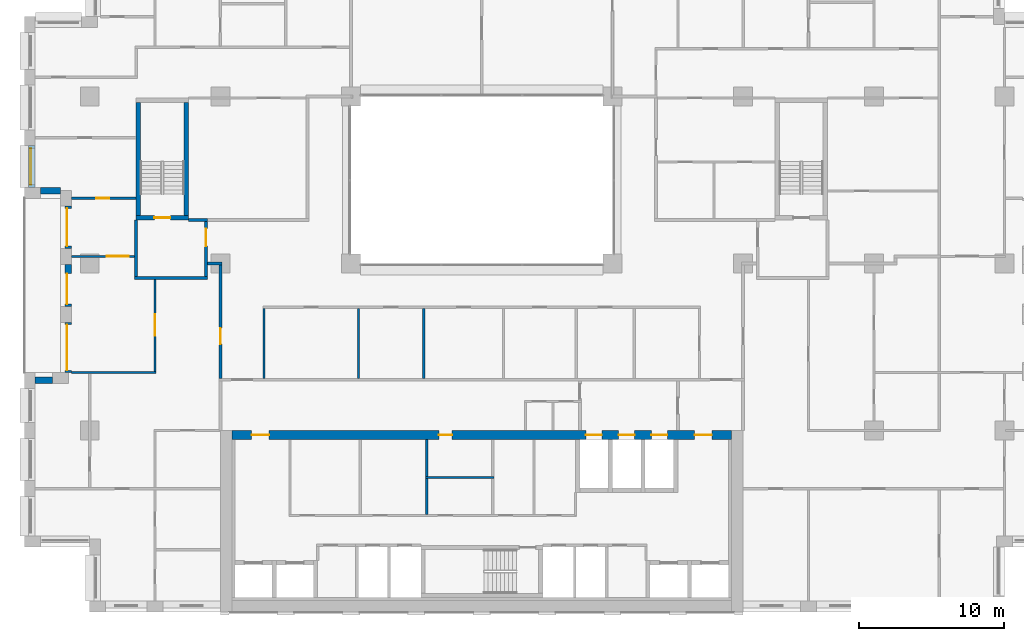
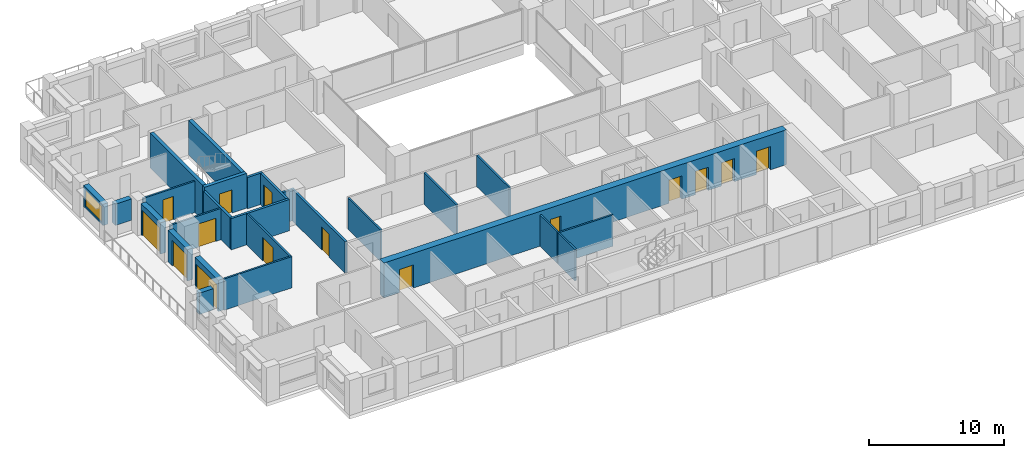
# One storey, part 9 of 16: 26 walls, 15 doors, 1 window, 16 openings.
"""IFC4 building model written with IfcOpenShell, lengths in metres."""

from ifc_helpers import new_model, si_unit, direction, frame, frame_2d, origin, place, context, subcontext, project, spatial, rectangle, extrude, material, layer, layer_set, type_object, element, fill, save


model = new_model("IFC4")

# Units and contexts
model_context = context("Model", 3, precision=1e-05, world=origin(), true_north=direction((0.0, 1.0)))
body_context = subcontext(model_context, "Body", "Model", "MODEL_VIEW")
ifc_project = project(units=[si_unit("LENGTHUNIT", "METRE"), si_unit("AREAUNIT", "SQUARE_METRE"), si_unit("VOLUMEUNIT", "CUBIC_METRE"), si_unit("PLANEANGLEUNIT", "RADIAN"), si_unit("MASSUNIT", "GRAM", prefix="KILO")], contexts=[model_context])

# Site, building, storey
site_placement = place(None, origin())
site = spatial("IfcSite", under=ifc_project, at=site_placement, CompositionType="ELEMENT")
building_placement = place(site_placement, origin())
building = spatial("IfcBuilding", under=site, at=building_placement, Name="Brigalow Station Residences", CompositionType="ELEMENT")
storey_placement = place(building_placement, frame((0.0, 0.0, 83.550048828125)))
storey = spatial("IfcBuildingStorey", under=building, at=storey_placement, Name="L23", CompositionType="ELEMENT", Elevation=83.550048828125)

# Wall, opening, window
ifc_material_1 = material(Name="Clay brick masonry", Category="masonry")
ifc_layer_1 = layer(ifc_material_1, 0.449951171875)
ifc_layer_set_1 = layer_set([ifc_layer_1], Name="BRICK INFILL WALL 450")
wall_type_1 = type_object("IfcWallType", Name="BRICK INFILL WALL 450", PredefinedType="SOLIDWALL", material=ifc_layer_set_1)
wall_1_placement = place(storey_placement, frame((5.02490234375, 32.116943359375, 0.89990234375), z_axis=(0.0, 0.0, 1.0), x_axis=(0.0, -1.0, 0.0)))
wall_1 = element("IfcWall", 1, at=wall_1_placement, inside=storey, type_object=wall_type_1, Name="L23/ewall/W-L23-41", PredefinedType="SOLIDWALL", context=body_context, shape_type="SweptSolid", body=[
    extrude(rectangle(XDim=2.866943359375, YDim=0.449951171875, at=frame_2d((1.43359375, 0.0))), origin(), (0.0, 0.0, 1.0), 1.929931640625),
])
opening_1_placement = place(wall_1_placement, frame((0.18359375, 0.0, 0.14990234375)))
opening_1 = element("IfcOpeningElement", 2, at=opening_1_placement, cuts=wall_1, Name="Opening WT-5", PredefinedType="OPENING", context=body_context, shape_type="SweptSolid", body=[
    extrude(rectangle(XDim=2.5, YDim=1.5, at=frame_2d((1.25, 0.75))), frame((0.0, 0.23486328125, 0.0), z_axis=(0.0, -1.0, 0.0), x_axis=(1.0, 0.0, 0.0)), (0.0, 0.0, 1.0), 0.469970703125),
])
ifc_material_2 = material(Name="Anodised aluminium frame with double glazing", Category="aluminium")
window_type = type_object("IfcWindowType", Name="WINDOW 2500x1500", PartitioningType="SINGLE_PANEL", PredefinedType="WINDOW", material=ifc_material_2)
window_placement = place(opening_1_placement, origin())
window = element("IfcWindow", 3, at=window_placement, inside=storey, type_object=window_type, Name="L23/window/W-L23-41", OverallHeight=1.5, OverallWidth=2.5, PartitioningType="SINGLE_PANEL", PredefinedType="WINDOW", context=body_context, shape_type="SweptSolid", body=[
    extrude(rectangle(XDim=2.5, YDim=1.5, at=frame_2d((1.25, 0.75))), frame((0.0, -0.06494140625, 0.0), z_axis=(0.0, -1.0, 0.0), x_axis=(1.0, 0.0, 0.0)), (0.0, 0.0, 1.0), 0.06005859375),
])
fill(opening_1, window)

# Wall
wall_2_placement = place(storey_placement, frame((5.60009765625, 29.02490234375, 0.89990234375), z_axis=(0.0, 0.0, 1.0), x_axis=(1.0, 0.0, 0.0)))
element("IfcWall", 4, at=wall_2_placement, inside=storey, type_object=wall_type_1, Name="L23/ewall/W-L23-42", PredefinedType="SOLIDWALL", context=body_context, shape_type="SweptSolid", body=[
    extrude(rectangle(XDim=1.39990234375, YDim=0.449951171875, at=frame_2d((0.699951171875, 0.0))), origin(), (0.0, 0.0, 1.0), 1.929931640625),
])

# Wall, opening, door
wall_3_placement = place(storey_placement, frame((7.52490234375, 27.949951171875, 0.0), z_axis=(0.0, 0.0, 1.0), x_axis=(0.0, -1.0, 0.0)))
wall_3 = element("IfcWall", 5, at=wall_3_placement, inside=storey, type_object=wall_type_1, Name="L23/ewall/W-L23-43", PredefinedType="SOLIDWALL", context=body_context, shape_type="SweptSolid", body=[
    extrude(rectangle(XDim=2.89990234375, YDim=0.449951171875, at=frame_2d((1.449951171875, 0.0))), origin(), (0.0, 0.0, 1.0), 2.829833984375),
])
opening_2_placement = place(wall_3_placement, frame((0.14990234375, 0.0, 0.0)))
opening_2 = element("IfcOpeningElement", 6, at=opening_2_placement, cuts=wall_3, Name="Opening D-B2600", PredefinedType="OPENING", context=body_context, shape_type="SweptSolid", body=[
    extrude(rectangle(XDim=2.60009765625, YDim=2.300048828125, at=frame_2d((1.300048828125, 1.14990234375))), frame((0.0, 0.23486328125, 0.0), z_axis=(0.0, -1.0, 0.0), x_axis=(1.0, 0.0, 0.0)), (0.0, 0.0, 1.0), 0.469970703125),
])
ifc_material_3 = material(Name="Anodised aluminium frame with double glazing", Category="aluminium")
door_type_1 = type_object("IfcDoorType", Name="BALCONY SLIDING DOOR 2600x2300", OperationType="SLIDING_TO_LEFT", PredefinedType="DOOR", material=ifc_material_3)
door_1_placement = place(opening_2_placement, origin())
door_1 = element("IfcDoor", 7, at=door_1_placement, inside=storey, type_object=door_type_1, Name="L23/balcony-door/W-L23-43", OperationType="SLIDING_TO_LEFT", OverallHeight=2.300048828125, OverallWidth=2.60009765625, PredefinedType="DOOR", context=body_context, shape_type="SweptSolid", body=[
    extrude(rectangle(XDim=2.60009765625, YDim=2.300048828125, at=frame_2d((1.300048828125, 1.14990234375))), frame((0.0, -0.06982421875, 0.0), z_axis=(0.0, -1.0, 0.0), x_axis=(1.0, 0.0, 0.0)), (0.0, 0.0, 1.0), 0.050048828125),
])
fill(opening_2, door_1)

wall_4_placement = place(storey_placement, frame((7.52490234375, 23.949951171875, 0.0), z_axis=(0.0, 0.0, 1.0), x_axis=(0.0, -1.0, 0.0)))
wall_4 = element("IfcWall", 8, at=wall_4_placement, inside=storey, type_object=wall_type_1, Name="L23/ewall/W-L23-44", PredefinedType="SOLIDWALL", context=body_context, shape_type="SweptSolid", body=[
    extrude(rectangle(XDim=2.89990234375, YDim=0.449951171875, at=frame_2d((1.449951171875, 0.0))), origin(), (0.0, 0.0, 1.0), 2.829833984375),
])
opening_3_placement = place(wall_4_placement, frame((0.635009765625, 0.0, 0.0)))
opening_3 = element("IfcOpeningElement", 9, at=opening_3_placement, cuts=wall_4, Name="Opening D-B2100", PredefinedType="OPENING", context=body_context, shape_type="SweptSolid", body=[
    extrude(rectangle(XDim=2.10009765625, YDim=2.300048828125, at=frame_2d((1.050048828125, 1.14990234375))), frame((0.0, 0.23486328125, 0.0), z_axis=(0.0, -1.0, 0.0), x_axis=(1.0, 0.0, 0.0)), (0.0, 0.0, 1.0), 0.469970703125),
])
ifc_material_4 = material(Name="Anodised aluminium frame with double glazing", Category="aluminium")
door_type_2 = type_object("IfcDoorType", Name="BALCONY SLIDING DOOR 2100x2300", OperationType="SLIDING_TO_LEFT", PredefinedType="DOOR", material=ifc_material_4)
door_2_placement = place(opening_3_placement, origin())
door_2 = element("IfcDoor", 10, at=door_2_placement, inside=storey, type_object=door_type_2, Name="L23/balcony-door/W-L23-44", OperationType="SLIDING_TO_LEFT", OverallHeight=2.300048828125, OverallWidth=2.10009765625, PredefinedType="DOOR", context=body_context, shape_type="SweptSolid", body=[
    extrude(rectangle(XDim=2.10009765625, YDim=2.300048828125, at=frame_2d((1.050048828125, 1.14990234375))), frame((0.0, -0.06982421875, 0.0), z_axis=(0.0, -1.0, 0.0), x_axis=(1.0, 0.0, 0.0)), (0.0, 0.0, 1.0), 0.050048828125),
])
fill(opening_3, door_2)

wall_5_placement = place(storey_placement, frame((7.52490234375, 19.949951171875, 0.0), z_axis=(0.0, 0.0, 1.0), x_axis=(0.0, -1.0, 0.0)))
wall_5 = element("IfcWall", 11, at=wall_5_placement, inside=storey, type_object=wall_type_1, Name="L23/ewall/W-L23-45", PredefinedType="SOLIDWALL", context=body_context, shape_type="SweptSolid", body=[
    extrude(rectangle(XDim=3.449951171875, YDim=0.449951171875, at=frame_2d((1.72509765625, 0.0))), origin(), (0.0, 0.0, 1.0), 2.829833984375),
])
opening_4_placement = place(wall_5_placement, frame((0.14990234375, 0.0, 0.0)))
opening_4 = element("IfcOpeningElement", 12, at=opening_4_placement, cuts=wall_5, Name="Opening D-B3150", PredefinedType="OPENING", context=body_context, shape_type="SweptSolid", body=[
    extrude(rectangle(XDim=3.14990234375, YDim=2.300048828125, at=frame_2d((1.574951171875, 1.14990234375))), frame((0.0, 0.23486328125, 0.0), z_axis=(0.0, -1.0, 0.0), x_axis=(1.0, 0.0, 0.0)), (0.0, 0.0, 1.0), 0.469970703125),
])
ifc_material_5 = material(Name="Anodised aluminium frame with double glazing", Category="aluminium")
door_type_3 = type_object("IfcDoorType", Name="BALCONY SLIDING DOOR 3150x2300", OperationType="SLIDING_TO_LEFT", PredefinedType="DOOR", material=ifc_material_5)
door_3_placement = place(opening_4_placement, origin())
door_3 = element("IfcDoor", 13, at=door_3_placement, inside=storey, type_object=door_type_3, Name="L23/balcony-door/W-L23-45", OperationType="SLIDING_TO_LEFT", OverallHeight=2.300048828125, OverallWidth=3.14990234375, PredefinedType="DOOR", context=body_context, shape_type="SweptSolid", body=[
    extrude(rectangle(XDim=3.14990234375, YDim=2.300048828125, at=frame_2d((1.574951171875, 1.14990234375))), frame((0.0, -0.06982421875, 0.0), z_axis=(0.0, -1.0, 0.0), x_axis=(1.0, 0.0, 0.0)), (0.0, 0.0, 1.0), 0.050048828125),
])
fill(opening_4, door_3)

# Wall
wall_6_placement = place(storey_placement, frame((6.449951171875, 15.97509765625, 0.89990234375), z_axis=(0.0, 0.0, 1.0), x_axis=(-1.0, 0.0, 0.0)))
element("IfcWall", 14, at=wall_6_placement, inside=storey, type_object=wall_type_1, Name="L23/ewall/W-L23-46", PredefinedType="SOLIDWALL", context=body_context, shape_type="SweptSolid", body=[
    extrude(rectangle(XDim=1.199951171875, YDim=0.449951171875, at=frame_2d((0.60009765625, 0.0))), origin(), (0.0, 0.0, 1.0), 1.929931640625),
])

# Wall, opening, door
ifc_material_6 = material(Name="Concrete C65", Category="concrete")
ifc_layer_2 = layer(ifc_material_6, 0.300048828125)
ifc_layer_set_2 = layer_set([ifc_layer_2], Name="CORE SHEAR WALL 300 C65")
wall_type_2 = type_object("IfcWallType", Name="CORE SHEAR WALL 300 C65", PredefinedType="SHEAR", material=ifc_layer_set_2)
wall_7_placement = place(storey_placement, frame((12.199951171875, 27.14990234375, 0.0), z_axis=(0.0, 0.0, 1.0), x_axis=(1.0, 0.0, 0.0)))
wall_7 = element("IfcWall", 15, at=wall_7_placement, inside=storey, type_object=wall_type_2, Name="CORE WALL ST-S1-S L23", PredefinedType="SHEAR", context=body_context, shape_type="SweptSolid", body=[
    extrude(rectangle(XDim=3.60009765625, YDim=0.300048828125, at=frame_2d((1.800048828125, 0.0))), origin(), (0.0, 0.0, 1.0), 3.14990234375),
])
opening_5_placement = place(wall_7_placement, frame((1.25, 0.0, 0.0)))
opening_5 = element("IfcOpeningElement", 16, at=opening_5_placement, cuts=wall_7, Name="Opening D-5015", PredefinedType="OPENING", context=body_context, shape_type="SweptSolid", body=[
    extrude(rectangle(XDim=1.10009765625, YDim=2.10009765625, at=frame_2d((0.550048828125, 1.050048828125))), frame((0.0, 0.16015625, 0.0), z_axis=(0.0, -1.0, 0.0), x_axis=(1.0, 0.0, 0.0)), (0.0, 0.0, 1.0), 0.320068359375),
])
ifc_material_7 = material(Name="Steel fire door leaf in steel frame", Category="steel")
door_type_4 = type_object("IfcDoorType", Name="STAIR DOOR 1100 x 2100 FD60S", OperationType="SINGLE_SWING_LEFT", PredefinedType="DOOR", material=ifc_material_7)
door_4_placement = place(opening_5_placement, origin())
door_4 = element("IfcDoor", 17, at=door_4_placement, inside=storey, type_object=door_type_4, Name="D-5015", OperationType="SINGLE_SWING_LEFT", OverallHeight=2.10009765625, OverallWidth=1.10009765625, PredefinedType="DOOR", context=body_context, shape_type="SweptSolid", body=[
    extrude(rectangle(XDim=1.10009765625, YDim=2.10009765625, at=frame_2d((0.550048828125, 1.050048828125))), frame((0.0, 0.02490234375, 0.0), z_axis=(0.0, -1.0, 0.0), x_axis=(1.0, 0.0, 0.0)), (0.0, 0.0, 1.0), 0.050048828125),
])
fill(opening_5, door_4)

# Walls
for number, where, z_axis, x_axis, name in (
    (18, (12.35009765625, 27.300048828125, 0.0), (0.0, 0.0, 1.0), (0.0, 1.0, 0.0), "CORE WALL ST-S1-W L23"),
    (19, (15.64990234375, 27.300048828125, 0.0), (0.0, 0.0, 1.0), (0.0, 1.0, 0.0), "CORE WALL ST-S1-E L23"),
):
    element("IfcWall", number, at=place(storey_placement, frame(where, z_axis=z_axis, x_axis=x_axis)), inside=storey, type_object=wall_type_2, Name=name, PredefinedType="SHEAR", context=body_context, shape_type="SweptSolid", body=[
        extrude(rectangle(XDim=7.800048828125, YDim=0.300048828125, at=frame_2d((3.89990234375, 0.0))), origin(), (0.0, 0.0, 1.0), 3.14990234375),
    ])

# Wall, openings, doors
ifc_material_8 = material(Name="Concrete C65", Category="concrete")
ifc_layer_3 = layer(ifc_material_8, 0.60009765625)
ifc_layer_set_3 = layer_set([ifc_layer_3], Name="CORE SHEAR WALL 600 C65")
wall_type_3 = type_object("IfcWallType", Name="CORE SHEAR WALL 600 C65", PredefinedType="SHEAR", material=ifc_layer_set_3)
wall_8_placement = place(storey_placement, frame((18.800048828125, 12.199951171875, 0.0), z_axis=(0.0, 0.0, 1.0), x_axis=(1.0, 0.0, 0.0)))
wall_8 = element("IfcWall", 20, at=wall_8_placement, inside=storey, type_object=wall_type_3, Name="CORE WALL OUT-N L23", PredefinedType="SHEAR", context=body_context, shape_type="SweptSolid", body=[
    extrude(rectangle(XDim=34.39990234375, YDim=0.60009765625, at=frame_2d((17.199951171875, 0.0))), origin(), (0.0, 0.0, 1.0), 3.14990234375),
])
opening_6_placement = place(wall_8_placement, frame((24.375, 0.0, 0.0)))
opening_6 = element("IfcOpeningElement", 21, at=opening_6_placement, cuts=wall_8, Name="Opening LD-LF1", PredefinedType="OPENING", context=body_context, shape_type="SweptSolid", body=[
    extrude(rectangle(XDim=1.10009765625, YDim=2.10009765625, at=frame_2d((0.550048828125, 1.050048828125))), frame((0.0, 0.31005859375, 0.0), z_axis=(0.0, -1.0, 0.0), x_axis=(1.0, 0.0, 0.0)), (0.0, 0.0, 1.0), 0.6201171875),
])
opening_7_placement = place(wall_8_placement, frame((26.625, 0.0, 0.0)))
opening_7 = element("IfcOpeningElement", 22, at=opening_7_placement, cuts=wall_8, Name="Opening LD-LF2", PredefinedType="OPENING", context=body_context, shape_type="SweptSolid", body=[
    extrude(rectangle(XDim=1.10009765625, YDim=2.10009765625, at=frame_2d((0.550048828125, 1.050048828125))), frame((0.0, 0.31005859375, 0.0), z_axis=(0.0, -1.0, 0.0), x_axis=(1.0, 0.0, 0.0)), (0.0, 0.0, 1.0), 0.6201171875),
])
opening_8_placement = place(wall_8_placement, frame((28.875, 0.0, 0.0)))
opening_8 = element("IfcOpeningElement", 23, at=opening_8_placement, cuts=wall_8, Name="Opening LD-LG1", PredefinedType="OPENING", context=body_context, shape_type="SweptSolid", body=[
    extrude(rectangle(XDim=1.10009765625, YDim=2.10009765625, at=frame_2d((0.550048828125, 1.050048828125))), frame((0.0, 0.31005859375, 0.0), z_axis=(0.0, -1.0, 0.0), x_axis=(1.0, 0.0, 0.0)), (0.0, 0.0, 1.0), 0.6201171875),
])
opening_9_placement = place(wall_8_placement, frame((14.25, 0.0, 0.0)))
opening_9 = element("IfcOpeningElement", 24, at=opening_9_placement, cuts=wall_8, Name="Opening D-5113", PredefinedType="OPENING", context=body_context, shape_type="SweptSolid", body=[
    extrude(rectangle(XDim=0.89990234375, YDim=2.10009765625, at=frame_2d((0.449951171875, 1.050048828125))), frame((0.0, 0.31005859375, 0.0), z_axis=(0.0, -1.0, 0.0), x_axis=(1.0, 0.0, 0.0)), (0.0, 0.0, 1.0), 0.6201171875),
])
opening_10_placement = place(wall_8_placement, frame((1.35009765625, 0.0, 0.0)))
opening_10 = element("IfcOpeningElement", 25, at=opening_10_placement, cuts=wall_8, Name="Opening D-5011", PredefinedType="OPENING", context=body_context, shape_type="SweptSolid", body=[
    extrude(rectangle(XDim=1.199951171875, YDim=2.10009765625, at=frame_2d((0.60009765625, 1.050048828125))), frame((0.0, 0.31005859375, 0.0), z_axis=(0.0, -1.0, 0.0), x_axis=(1.0, 0.0, 0.0)), (0.0, 0.0, 1.0), 0.6201171875),
])
opening_11_placement = place(wall_8_placement, frame((31.85009765625, 0.0, 0.0)))
opening_11 = element("IfcOpeningElement", 26, at=opening_11_placement, cuts=wall_8, Name="Opening D-5012", PredefinedType="OPENING", context=body_context, shape_type="SweptSolid", body=[
    extrude(rectangle(XDim=1.199951171875, YDim=2.10009765625, at=frame_2d((0.60009765625, 1.050048828125))), frame((0.0, 0.31005859375, 0.0), z_axis=(0.0, -1.0, 0.0), x_axis=(1.0, 0.0, 0.0)), (0.0, 0.0, 1.0), 0.6201171875),
])
ifc_material_9 = material(Name="Steel fire door leaf in steel frame", Category="steel")
door_type_5 = type_object("IfcDoorType", Name="CORE CORRIDOR DOOR 1200 x 2100 FD60S", OperationType="SINGLE_SWING_LEFT", PredefinedType="DOOR", material=ifc_material_9)
door_5_placement = place(opening_10_placement, frame((1.199951171875, 0.0, 0.0), z_axis=(0.0, 0.0, 1.0), x_axis=(-1.0, 0.0, 0.0)))
door_5 = element("IfcDoor", 27, at=door_5_placement, inside=storey, type_object=door_type_5, Name="D-5011", OperationType="SINGLE_SWING_LEFT", OverallHeight=2.10009765625, OverallWidth=1.199951171875, PredefinedType="DOOR", context=body_context, shape_type="SweptSolid", body=[
    extrude(rectangle(XDim=1.199951171875, YDim=2.10009765625, at=frame_2d((0.60009765625, 1.050048828125))), frame((0.0, 0.02490234375, 0.0), z_axis=(0.0, -1.0, 0.0), x_axis=(1.0, 0.0, 0.0)), (0.0, 0.0, 1.0), 0.050048828125),
])
fill(opening_10, door_5)
door_6_placement = place(opening_11_placement, frame((1.199951171875, 0.0, 0.0), z_axis=(0.0, 0.0, 1.0), x_axis=(-1.0, 0.0, 0.0)))
door_6 = element("IfcDoor", 28, at=door_6_placement, inside=storey, type_object=door_type_5, Name="D-5012", OperationType="SINGLE_SWING_RIGHT", OverallHeight=2.10009765625, OverallWidth=1.199951171875, PredefinedType="DOOR", context=body_context, shape_type="SweptSolid", body=[
    extrude(rectangle(XDim=1.199951171875, YDim=2.10009765625, at=frame_2d((0.60009765625, 1.050048828125))), frame((0.0, 0.02490234375, 0.0), z_axis=(0.0, -1.0, 0.0), x_axis=(1.0, 0.0, 0.0)), (0.0, 0.0, 1.0), 0.050048828125),
])
fill(opening_11, door_6)
ifc_material_10 = material(Name="Stainless steel sliding door leaves", Category="steel")
door_type_6 = type_object("IfcDoorType", Name="LIFT LANDING DOOR 1100 x 2100", OperationType="DOUBLE_DOOR_SLIDING", PredefinedType="DOOR", material=ifc_material_10)
door_7_placement = place(opening_6_placement, origin())
door_7 = element("IfcDoor", 29, at=door_7_placement, inside=storey, type_object=door_type_6, Name="LANDING DOOR LF1", OperationType="DOUBLE_DOOR_SLIDING", OverallHeight=2.10009765625, OverallWidth=1.10009765625, PredefinedType="DOOR", context=body_context, shape_type="SweptSolid", body=[
    extrude(rectangle(XDim=1.10009765625, YDim=2.10009765625, at=frame_2d((0.550048828125, 1.050048828125))), frame((0.0, 0.02490234375, 0.0), z_axis=(0.0, -1.0, 0.0), x_axis=(1.0, 0.0, 0.0)), (0.0, 0.0, 1.0), 0.050048828125),
])
fill(opening_6, door_7)
door_8_placement = place(opening_7_placement, origin())
door_8 = element("IfcDoor", 30, at=door_8_placement, inside=storey, type_object=door_type_6, Name="LANDING DOOR LF2", OperationType="DOUBLE_DOOR_SLIDING", OverallHeight=2.10009765625, OverallWidth=1.10009765625, PredefinedType="DOOR", context=body_context, shape_type="SweptSolid", body=[
    extrude(rectangle(XDim=1.10009765625, YDim=2.10009765625, at=frame_2d((0.550048828125, 1.050048828125))), frame((0.0, 0.02490234375, 0.0), z_axis=(0.0, -1.0, 0.0), x_axis=(1.0, 0.0, 0.0)), (0.0, 0.0, 1.0), 0.050048828125),
])
fill(opening_7, door_8)
door_9_placement = place(opening_8_placement, origin())
door_9 = element("IfcDoor", 31, at=door_9_placement, inside=storey, type_object=door_type_6, Name="LANDING DOOR LG1", OperationType="DOUBLE_DOOR_SLIDING", OverallHeight=2.10009765625, OverallWidth=1.10009765625, PredefinedType="DOOR", context=body_context, shape_type="SweptSolid", body=[
    extrude(rectangle(XDim=1.10009765625, YDim=2.10009765625, at=frame_2d((0.550048828125, 1.050048828125))), frame((0.0, 0.02490234375, 0.0), z_axis=(0.0, -1.0, 0.0), x_axis=(1.0, 0.0, 0.0)), (0.0, 0.0, 1.0), 0.050048828125),
])
fill(opening_8, door_9)
ifc_material_11 = material(Name="Steel door leaf in steel frame", Category="steel")
door_type_7 = type_object("IfcDoorType", Name="SERVICE ROOM DOOR 900 x 2100 FD60", OperationType="SINGLE_SWING_LEFT", PredefinedType="DOOR", material=ifc_material_11)
door_10_placement = place(opening_9_placement, frame((0.89990234375, 0.0, 0.0), z_axis=(0.0, 0.0, 1.0), x_axis=(-1.0, 0.0, 0.0)))
door_10 = element("IfcDoor", 32, at=door_10_placement, inside=storey, type_object=door_type_7, Name="D-5113", OperationType="SINGLE_SWING_RIGHT", OverallHeight=2.10009765625, OverallWidth=0.89990234375, PredefinedType="DOOR", context=body_context, shape_type="SweptSolid", body=[
    extrude(rectangle(XDim=0.89990234375, YDim=2.10009765625, at=frame_2d((0.449951171875, 1.050048828125))), frame((0.0, 0.02490234375, 0.0), z_axis=(0.0, -1.0, 0.0), x_axis=(1.0, 0.0, 0.0)), (0.0, 0.0, 1.0), 0.050048828125),
])
fill(opening_9, door_10)

# Walls
ifc_material_12 = material(Name="Concrete blockwork", Category="masonry")
ifc_layer_4 = layer(ifc_material_12, 0.199951171875)
ifc_layer_set_4 = layer_set([ifc_layer_4], Name="FIRE RATED CORE PARTITION 200")
wall_type_4 = type_object("IfcWallType", Name="FIRE RATED CORE PARTITION 200", PredefinedType="PARTITIONING", material=ifc_layer_set_4)
wall_9_placement = place(storey_placement, frame((12.10009765625, 23.0, 0.0), z_axis=(0.0, 0.0, 1.0), x_axis=(1.0, 0.0, 0.0)))
element("IfcWall", 33, at=wall_9_placement, inside=storey, type_object=wall_type_4, Name="PW-5023", PredefinedType="PARTITIONING", context=body_context, shape_type="SweptSolid", body=[
    extrude(rectangle(XDim=5.0, YDim=0.199951171875, at=frame_2d((2.5, 0.0))), origin(), (0.0, 0.0, 1.0), 2.829833984375),
])
wall_10_placement = place(storey_placement, frame((15.800048828125, 27.0, 0.0), z_axis=(0.0, 0.0, 1.0), x_axis=(1.0, 0.0, 0.0)))
element("IfcWall", 34, at=wall_10_placement, inside=storey, type_object=wall_type_4, Name="PW-5025", PredefinedType="PARTITIONING", context=body_context, shape_type="SweptSolid", body=[
    extrude(rectangle(XDim=1.300048828125, YDim=0.199951171875, at=frame_2d((0.64990234375, 0.0))), origin(), (0.0, 0.0, 1.0), 2.829833984375),
])
wall_11_placement = place(storey_placement, frame((12.199951171875, 23.10009765625, 0.0), z_axis=(0.0, 0.0, 1.0), x_axis=(0.0, 1.0, 0.0)))
element("IfcWall", 35, at=wall_11_placement, inside=storey, type_object=wall_type_4, Name="PW-5034", PredefinedType="PARTITIONING", context=body_context, shape_type="SweptSolid", body=[
    extrude(rectangle(XDim=3.89990234375, YDim=0.199951171875, at=frame_2d((1.949951171875, 0.0))), origin(), (0.0, 0.0, 1.0), 2.829833984375),
])

# Wall, opening, door
wall_12_placement = place(storey_placement, frame((17.0, 23.10009765625, 0.0), z_axis=(0.0, 0.0, 1.0), x_axis=(0.0, 1.0, 0.0)))
wall_12 = element("IfcWall", 36, at=wall_12_placement, inside=storey, type_object=wall_type_4, Name="PW-5035", PredefinedType="PARTITIONING", context=body_context, shape_type="SweptSolid", body=[
    extrude(rectangle(XDim=3.7998046875, YDim=0.199951171875, at=frame_2d((1.89990234375, 0.0))), origin(), (0.0, 0.0, 1.0), 2.829833984375),
])
opening_12_placement = place(wall_12_placement, frame((2.10009765625, 0.0, 0.0)))
opening_12 = element("IfcOpeningElement", 37, at=opening_12_placement, cuts=wall_12, Name="Opening D-5016", PredefinedType="OPENING", context=body_context, shape_type="SweptSolid", body=[
    extrude(rectangle(XDim=1.199951171875, YDim=2.10009765625, at=frame_2d((0.60009765625, 1.050048828125))), frame((0.0, 0.10986328125, 0.0), z_axis=(0.0, -1.0, 0.0), x_axis=(1.0, 0.0, 0.0)), (0.0, 0.0, 1.0), 0.219970703125),
])
ifc_material_13 = material(Name="Steel fire door leaf in steel frame", Category="steel")
door_type_8 = type_object("IfcDoorType", Name="STAIR LOBBY DOOR 1200 x 2100 FD60S", OperationType="SINGLE_SWING_LEFT", PredefinedType="DOOR", material=ifc_material_13)
door_11_placement = place(opening_12_placement, origin())
door_11 = element("IfcDoor", 38, at=door_11_placement, inside=storey, type_object=door_type_8, Name="D-5016", OperationType="SINGLE_SWING_RIGHT", OverallHeight=2.10009765625, OverallWidth=1.199951171875, PredefinedType="DOOR", context=body_context, shape_type="SweptSolid", body=[
    extrude(rectangle(XDim=1.199951171875, YDim=2.10009765625, at=frame_2d((0.60009765625, 1.050048828125))), frame((0.0, 0.02490234375, 0.0), z_axis=(0.0, -1.0, 0.0), x_axis=(1.0, 0.0, 0.0)), (0.0, 0.0, 1.0), 0.050048828125),
])
fill(opening_12, door_11)

# Wall
ifc_material_14 = material(Name="Plasterboard on steel stud partition", Category="steel")
ifc_layer_5 = layer(ifc_material_14, 0.14990234375)
ifc_layer_set_5 = layer_set([ifc_layer_5], Name="FLAT PARTITION 150")
wall_type_5 = type_object("IfcWallType", Name="FLAT PARTITION 150", PredefinedType="PARTITIONING", material=ifc_layer_set_5)
wall_13_placement = place(storey_placement, frame((7.75, 16.5, 0.0), z_axis=(0.0, 0.0, 1.0), x_axis=(1.0, 0.0, 0.0)))
element("IfcWall", 39, at=wall_13_placement, inside=storey, type_object=wall_type_5, Name="PW-2A14", PredefinedType="PARTITIONING", context=body_context, shape_type="SweptSolid", body=[
    extrude(rectangle(XDim=5.824951171875, YDim=0.14990234375, at=frame_2d((2.91259765625, 0.0))), origin(), (0.0, 0.0, 1.0), 2.829833984375),
])

# Wall, opening, door
wall_14_placement = place(storey_placement, frame((7.75, 24.5, 0.0), z_axis=(0.0, 0.0, 1.0), x_axis=(1.0, 0.0, 0.0)))
wall_14 = element("IfcWall", 40, at=wall_14_placement, inside=storey, type_object=wall_type_5, Name="PW-2A19", PredefinedType="PARTITIONING", context=body_context, shape_type="SweptSolid", body=[
    extrude(rectangle(XDim=4.35009765625, YDim=0.14990234375, at=frame_2d((2.175048828125, 0.0))), origin(), (0.0, 0.0, 1.0), 2.829833984375),
])
opening_13_placement = place(wall_14_placement, frame((2.425048828125, 0.0, 0.0)))
opening_13 = element("IfcOpeningElement", 41, at=opening_13_placement, cuts=wall_14, Name="Opening D-2A10", PredefinedType="OPENING", context=body_context, shape_type="SweptSolid", body=[
    extrude(rectangle(XDim=1.5, YDim=2.10009765625, at=frame_2d((0.75, 1.050048828125))), frame((0.0, 0.0849609375, 0.0), z_axis=(0.0, -1.0, 0.0), x_axis=(1.0, 0.0, 0.0)), (0.0, 0.0, 1.0), 0.169921875),
])
ifc_material_15 = material(Name="Solid-core timber door leaf", Category="wood")
door_type_9 = type_object("IfcDoorType", Name="INTERNAL DOUBLE DOOR 1500 x 2100", OperationType="DOUBLE_DOOR_SINGLE_SWING", PredefinedType="DOOR", material=ifc_material_15)
door_12_placement = place(opening_13_placement, origin())
door_12 = element("IfcDoor", 42, at=door_12_placement, inside=storey, type_object=door_type_9, Name="D-2A10", OperationType="DOUBLE_DOOR_SINGLE_SWING", OverallHeight=2.10009765625, OverallWidth=1.5, PredefinedType="DOOR", context=body_context, shape_type="SweptSolid", body=[
    extrude(rectangle(XDim=1.5, YDim=2.10009765625, at=frame_2d((0.75, 1.050048828125))), frame((0.0, 0.02490234375, 0.0), z_axis=(0.0, -1.0, 0.0), x_axis=(1.0, 0.0, 0.0)), (0.0, 0.0, 1.0), 0.050048828125),
])
fill(opening_13, door_12)

wall_15_placement = place(storey_placement, frame((7.75, 28.5, 0.0), z_axis=(0.0, 0.0, 1.0), x_axis=(1.0, 0.0, 0.0)))
wall_15 = element("IfcWall", 43, at=wall_15_placement, inside=storey, type_object=wall_type_5, Name="PW-2A22", PredefinedType="PARTITIONING", context=body_context, shape_type="SweptSolid", body=[
    extrude(rectangle(XDim=4.449951171875, YDim=0.14990234375, at=frame_2d((2.22509765625, 0.0))), origin(), (0.0, 0.0, 1.0), 2.829833984375),
])
opening_14_placement = place(wall_15_placement, frame((1.699951171875, 0.0, 0.0)))
opening_14 = element("IfcOpeningElement", 44, at=opening_14_placement, cuts=wall_15, Name="Opening D-2A11", PredefinedType="OPENING", context=body_context, shape_type="SweptSolid", body=[
    extrude(rectangle(XDim=0.89990234375, YDim=2.10009765625, at=frame_2d((0.449951171875, 1.050048828125))), frame((0.0, 0.0849609375, 0.0), z_axis=(0.0, -1.0, 0.0), x_axis=(1.0, 0.0, 0.0)), (0.0, 0.0, 1.0), 0.169921875),
])
ifc_material_16 = material(Name="Solid-core timber door leaf", Category="wood")
door_type_10 = type_object("IfcDoorType", Name="INTERNAL DOOR 900 x 2100", OperationType="SINGLE_SWING_LEFT", PredefinedType="DOOR", material=ifc_material_16)
door_13_placement = place(opening_14_placement, frame((0.89990234375, 0.0, 0.0), z_axis=(0.0, 0.0, 1.0), x_axis=(-1.0, 0.0, 0.0)))
door_13 = element("IfcDoor", 45, at=door_13_placement, inside=storey, type_object=door_type_10, Name="D-2A11", OperationType="SINGLE_SWING_RIGHT", OverallHeight=2.10009765625, OverallWidth=0.89990234375, PredefinedType="DOOR", context=body_context, shape_type="SweptSolid", body=[
    extrude(rectangle(XDim=0.89990234375, YDim=2.10009765625, at=frame_2d((0.449951171875, 1.050048828125))), frame((0.0, 0.02490234375, 0.0), z_axis=(0.0, -1.0, 0.0), x_axis=(1.0, 0.0, 0.0)), (0.0, 0.0, 1.0), 0.050048828125),
])
fill(opening_14, door_13)

# Wall
wall_16_placement = place(storey_placement, frame((21.0, 16.10009765625, 0.0), z_axis=(0.0, 0.0, 1.0), x_axis=(0.0, 1.0, 0.0)))
element("IfcWall", 46, at=wall_16_placement, inside=storey, type_object=wall_type_5, Name="PW-2A43", PredefinedType="PARTITIONING", context=body_context, shape_type="SweptSolid", body=[
    extrude(rectangle(XDim=4.824951171875, YDim=0.14990234375, at=frame_2d((2.41259765625, 0.0))), origin(), (0.0, 0.0, 1.0), 2.829833984375),
])

# Wall, opening, door
wall_17_placement = place(storey_placement, frame((13.5, 16.574951171875, 0.0), z_axis=(0.0, 0.0, 1.0), x_axis=(0.0, 1.0, 0.0)))
wall_17 = element("IfcWall", 47, at=wall_17_placement, inside=storey, type_object=wall_type_5, Name="PW-2A50", PredefinedType="PARTITIONING", context=body_context, shape_type="SweptSolid", body=[
    extrude(rectangle(XDim=6.324951171875, YDim=0.14990234375, at=frame_2d((3.16259765625, 0.0))), origin(), (0.0, 0.0, 1.0), 2.829833984375),
])
opening_15_placement = place(wall_17_placement, frame((2.449951171875, 0.0, 0.0)))
opening_15 = element("IfcOpeningElement", 48, at=opening_15_placement, cuts=wall_17, Name="Opening D-2A09", PredefinedType="OPENING", context=body_context, shape_type="SweptSolid", body=[
    extrude(rectangle(XDim=1.5, YDim=2.10009765625, at=frame_2d((0.75, 1.050048828125))), frame((0.0, 0.0849609375, 0.0), z_axis=(0.0, -1.0, 0.0), x_axis=(1.0, 0.0, 0.0)), (0.0, 0.0, 1.0), 0.169921875),
])
door_14_placement = place(opening_15_placement, origin())
door_14 = element("IfcDoor", 49, at=door_14_placement, inside=storey, type_object=door_type_9, Name="D-2A09", OperationType="DOUBLE_DOOR_SINGLE_SWING", OverallHeight=2.10009765625, OverallWidth=1.5, PredefinedType="DOOR", context=body_context, shape_type="SweptSolid", body=[
    extrude(rectangle(XDim=1.5, YDim=2.10009765625, at=frame_2d((0.75, 1.050048828125))), frame((0.0, 0.02490234375, 0.0), z_axis=(0.0, -1.0, 0.0), x_axis=(1.0, 0.0, 0.0)), (0.0, 0.0, 1.0), 0.050048828125),
])
fill(opening_15, door_14)

# Walls
for number, where, z_axis, x_axis, name in (
    (50, (27.5, 16.10009765625, 0.0), (0.0, 0.0, 1.0), (0.0, 1.0, 0.0), "PW-2A72"),
    (51, (32.0, 16.10009765625, 0.0), (0.0, 0.0, 1.0), (0.0, 1.0, 0.0), "PW-2A73"),
):
    element("IfcWall", number, at=place(storey_placement, frame(where, z_axis=z_axis, x_axis=x_axis)), inside=storey, type_object=wall_type_5, Name=name, PredefinedType="PARTITIONING", context=body_context, shape_type="SweptSolid", body=[
        extrude(rectangle(XDim=4.824951171875, YDim=0.14990234375, at=frame_2d((2.41259765625, 0.0))), origin(), (0.0, 0.0, 1.0), 2.829833984375),
    ])
ifc_material_17 = material(Name="Plasterboard on steel stud partition", Category="steel")
ifc_layer_6 = layer(ifc_material_17, 0.199951171875)
ifc_layer_set_6 = layer_set([ifc_layer_6], Name="PARTY AND CORRIDOR WALL 200")
wall_type_6 = type_object("IfcWallType", Name="PARTY AND CORRIDOR WALL 200", PredefinedType="PARTITIONING", material=ifc_layer_set_6)
wall_18_placement = place(storey_placement, frame((17.10009765625, 24.0, 0.0), z_axis=(0.0, 0.0, 1.0), x_axis=(1.0, 0.0, 0.0)))
element("IfcWall", 52, at=wall_18_placement, inside=storey, type_object=wall_type_6, Name="PW-2A02", PredefinedType="PARTITIONING", context=body_context, shape_type="SweptSolid", body=[
    extrude(rectangle(XDim=1.0, YDim=0.199951171875, at=frame_2d((0.5, 0.0))), origin(), (0.0, 0.0, 1.0), 2.829833984375),
])

# Wall, opening, door
wall_19_placement = place(storey_placement, frame((18.0, 16.10009765625, 0.0), z_axis=(0.0, 0.0, 1.0), x_axis=(0.0, 1.0, 0.0)))
wall_19 = element("IfcWall", 53, at=wall_19_placement, inside=storey, type_object=wall_type_6, Name="PW-2A40", PredefinedType="PARTITIONING", context=body_context, shape_type="SweptSolid", body=[
    extrude(rectangle(XDim=7.7998046875, YDim=0.199951171875, at=frame_2d((3.89990234375, 0.0))), origin(), (0.0, 0.0, 1.0), 2.829833984375),
])
opening_16_placement = place(wall_19_placement, frame((2.35009765625, 0.0, 0.0)))
opening_16 = element("IfcOpeningElement", 54, at=opening_16_placement, cuts=wall_19, Name="Opening D-2A03", PredefinedType="OPENING", context=body_context, shape_type="SweptSolid", body=[
    extrude(rectangle(XDim=1.10009765625, YDim=2.10009765625, at=frame_2d((0.550048828125, 1.050048828125))), frame((0.0, 0.10986328125, 0.0), z_axis=(0.0, -1.0, 0.0), x_axis=(1.0, 0.0, 0.0)), (0.0, 0.0, 1.0), 0.219970703125),
])
ifc_material_18 = material(Name="Solid-core timber door leaf", Category="wood")
door_type_11 = type_object("IfcDoorType", Name="FLAT ENTRANCE DOOR 1100 x 2100 FRL -/60/30", OperationType="SINGLE_SWING_LEFT", PredefinedType="DOOR", material=ifc_material_18)
door_15_placement = place(opening_16_placement, origin())
door_15 = element("IfcDoor", 55, at=door_15_placement, inside=storey, type_object=door_type_11, Name="D-2A03", OperationType="SINGLE_SWING_RIGHT", OverallHeight=2.10009765625, OverallWidth=1.10009765625, PredefinedType="DOOR", context=body_context, shape_type="SweptSolid", body=[
    extrude(rectangle(XDim=1.10009765625, YDim=2.10009765625, at=frame_2d((0.550048828125, 1.050048828125))), frame((0.0, 0.02490234375, 0.0), z_axis=(0.0, -1.0, 0.0), x_axis=(1.0, 0.0, 0.0)), (0.0, 0.0, 1.0), 0.050048828125),
])
fill(opening_16, door_15)

# Walls
ifc_material_19 = material(Name="Plasterboard on steel studs", Category="steel")
ifc_layer_7 = layer(ifc_material_19, 0.14990234375)
ifc_layer_set_7 = layer_set([ifc_layer_7], Name="SERVICE ROOM PARTITION 150")
wall_type_7 = type_object("IfcWallType", Name="SERVICE ROOM PARTITION 150", PredefinedType="PARTITIONING", material=ifc_layer_set_7)
wall_20_placement = place(storey_placement, frame((32.135009765625, 9.27001953125, 0.0), z_axis=(0.0, 0.0, 1.0), x_axis=(1.0, 0.0, 0.0)))
element("IfcWall", 56, at=wall_20_placement, inside=storey, type_object=wall_type_7, Name="PW-5196", PredefinedType="PARTITIONING", context=body_context, shape_type="SweptSolid", body=[
    extrude(rectangle(XDim=4.68994140625, YDim=0.14990234375, at=frame_2d((2.344970703125, 0.0))), origin(), (0.0, 0.0, 1.0), 2.829833984375),
])
wall_21_placement = place(storey_placement, frame((32.2099609375, 6.72509765625, 0.0), z_axis=(0.0, 0.0, 1.0), x_axis=(0.0, 1.0, 0.0)))
element("IfcWall", 57, at=wall_21_placement, inside=storey, type_object=wall_type_7, Name="PW-5199", PredefinedType="PARTITIONING", context=body_context, shape_type="SweptSolid", body=[
    extrude(rectangle(XDim=2.469970703125, YDim=0.14990234375, at=frame_2d((1.23486328125, 0.0))), origin(), (0.0, 0.0, 1.0), 2.829833984375),
])
wall_22_placement = place(storey_placement, frame((32.2099609375, 9.344970703125, 0.0), z_axis=(0.0, 0.0, 1.0), x_axis=(0.0, 1.0, 0.0)))
element("IfcWall", 58, at=wall_22_placement, inside=storey, type_object=wall_type_7, Name="PW-5202", PredefinedType="PARTITIONING", context=body_context, shape_type="SweptSolid", body=[
    extrude(rectangle(XDim=2.554931640625, YDim=0.14990234375, at=frame_2d((1.27734375, 0.0))), origin(), (0.0, 0.0, 1.0), 2.829833984375),
])

save(model, "model.ifc")
